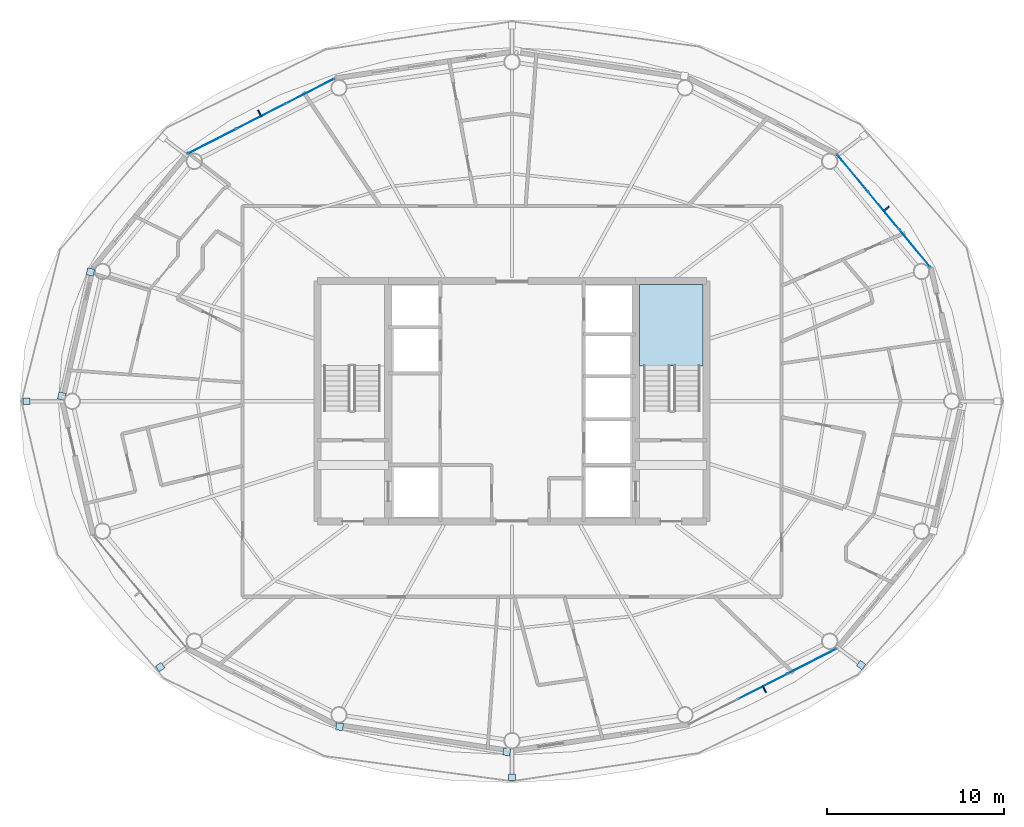
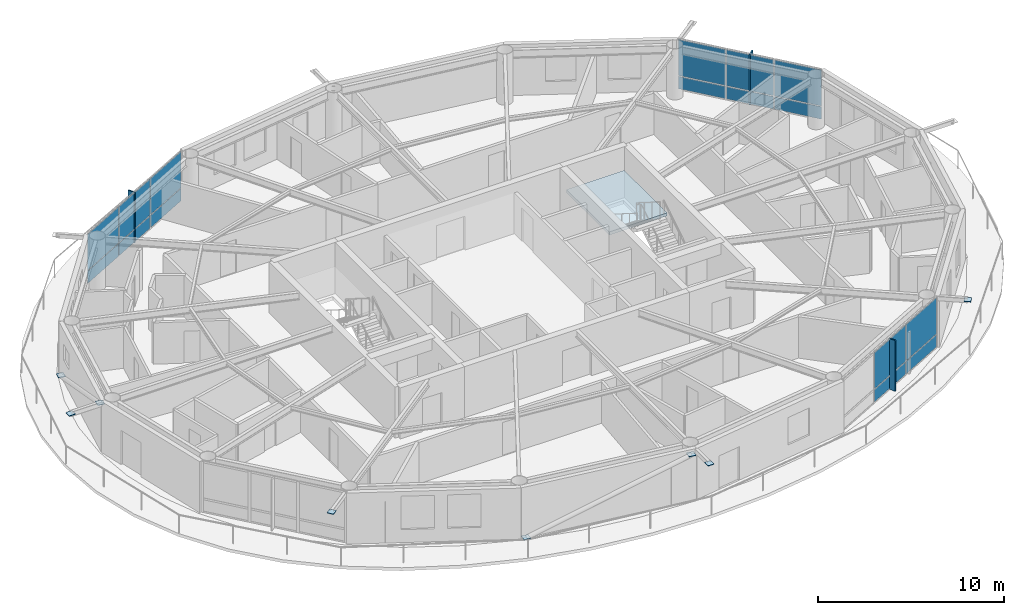
# One storey, part 14 of 22: 27 plates, 1 slab, 4 elements without a shape of their own.
"""IFC4 building model written with IfcOpenShell, lengths in metres."""

from ifc_helpers import new_model, si_unit, direction, frame, origin, origin_2d, place, context, subcontext, project, spatial, polyline, rectangle, outline, extrude, material, layer, layer_set, type_object, element, aggregate, save


model = new_model("IFC4")

# Units and contexts
model_context = context("Model", 3, precision=1e-05, world=origin(), true_north=direction((0.0, 1.0)))
body_context = subcontext(model_context, "Body", "Model", "MODEL_VIEW")
ifc_project = project(units=[si_unit("LENGTHUNIT", "METRE"), si_unit("AREAUNIT", "SQUARE_METRE"), si_unit("VOLUMEUNIT", "CUBIC_METRE"), si_unit("PLANEANGLEUNIT", "RADIAN"), si_unit("MASSUNIT", "GRAM", prefix="KILO")], contexts=[model_context])

# Site, building, storey
site_placement = place(None, origin())
site = spatial("IfcSite", under=ifc_project, at=site_placement, CompositionType="ELEMENT")
building_placement = place(site_placement, origin())
building = spatial("IfcBuilding", under=site, at=building_placement, Name="Sarneth Arch Tower", CompositionType="ELEMENT")
storey_placement = place(building_placement, frame((0.0, 0.0, 213.60009765625)))
storey = spatial("IfcBuildingStorey", under=building, at=storey_placement, Name="L54", CompositionType="ELEMENT", Elevation=213.60009765625)

# Curtain wall, plates
ifc_material_1 = material(Name="Anodised aluminium Type AA25 and solar-control low-e laminated IGU", Category="aluminium")
ifc_layer_1 = layer(ifc_material_1, 0.179931640625)
ifc_layer_set_1 = layer_set([ifc_layer_1], Name="Anodised aluminium Type AA25 and solar-control low-e laminated IGU")
curtain_wall_type = type_object("IfcCurtainWallType", Name="CW-RES-HIGH", PredefinedType="NOTDEFINED", material=ifc_layer_set_1)
curtain_wall_1_placement = place(storey_placement, origin())
curtain_wall_1 = element("IfcCurtainWall", 1, at=curtain_wall_1_placement, inside=storey, type_object=curtain_wall_type, Name="L54 Unitised curtain wall facet 02", PredefinedType="NOTDEFINED")
ifc_material_2 = material(Name="Solar-control low-e laminated IGU", Category="glass")
ifc_layer_2 = layer(ifc_material_2, 0.028076171875)
ifc_layer_set_2 = layer_set([ifc_layer_2], Name="Solar-control low-e laminated IGU")
plate_type_1 = type_object("IfcPlateType", Name="CW-PANEL", PredefinedType="CURTAIN_PANEL", material=ifc_layer_set_2)
plate_1_placement = place(storey_placement, frame((70.799072265625, 50.650634765625, 0.059814453125), z_axis=(0.0, 0.0, 1.0), x_axis=(-0.637610094184, 0.770359245933, 0.0)))
plate_1 = element("IfcPlate", 2, at=plate_1_placement, type_object=plate_type_1, Name="Curtain wall glazed vision pane CW-L54-F02/P00-00", PredefinedType="CURTAIN_PANEL", context=body_context, shape_type="SweptSolid", body=[
    extrude(rectangle(XDim=2.686767578125, YDim=0.028076171875, at=origin_2d()), origin(), (0.0, 0.0, 1.0), 0.81005859375),
])
plate_2_placement = place(storey_placement, frame((70.799072265625, 50.650634765625, 0.929931640625), z_axis=(0.0, 0.0, 1.0), x_axis=(-0.637610094184, 0.770359245933, 0.0)))
plate_2 = element("IfcPlate", 3, at=plate_2_placement, type_object=plate_type_1, Name="Curtain wall glazed vision pane CW-L54-F02/P00-01", PredefinedType="CURTAIN_PANEL", context=body_context, shape_type="SweptSolid", body=[
    extrude(rectangle(XDim=2.686767578125, YDim=0.028076171875, at=origin_2d()), origin(), (0.0, 0.0, 1.0), 2.3701171875),
])
plate_3_placement = place(storey_placement, frame((69.0380859375, 52.778076171875, 0.059814453125), z_axis=(0.0, 0.0, 1.0), x_axis=(-0.637610094184, 0.770359245933, 0.0)))
plate_3 = element("IfcPlate", 4, at=plate_3_placement, type_object=plate_type_1, Name="Curtain wall glazed vision pane CW-L54-F02/P01-00", PredefinedType="CURTAIN_PANEL", context=body_context, shape_type="SweptSolid", body=[
    extrude(rectangle(XDim=2.716552734375, YDim=0.028076171875, at=origin_2d()), origin(), (0.0, 0.0, 1.0), 0.81005859375),
])
plate_4_placement = place(storey_placement, frame((69.0380859375, 52.778076171875, 0.929931640625), z_axis=(0.0, 0.0, 1.0), x_axis=(-0.637610094184, 0.770359245933, 0.0)))
plate_4 = element("IfcPlate", 5, at=plate_4_placement, type_object=plate_type_1, Name="Curtain wall glazed vision pane CW-L54-F02/P01-01", PredefinedType="CURTAIN_PANEL", context=body_context, shape_type="SweptSolid", body=[
    extrude(rectangle(XDim=2.716552734375, YDim=0.028076171875, at=origin_2d()), origin(), (0.0, 0.0, 1.0), 2.3701171875),
])
plate_5_placement = place(storey_placement, frame((67.27734375, 54.905517578125, 0.059814453125), z_axis=(0.0, 0.0, 1.0), x_axis=(-0.637610094184, 0.770359245933, 0.0)))
plate_5 = element("IfcPlate", 6, at=plate_5_placement, type_object=plate_type_1, Name="Curtain wall glazed vision pane CW-L54-F02/P02-00", PredefinedType="CURTAIN_PANEL", context=body_context, shape_type="SweptSolid", body=[
    extrude(rectangle(XDim=2.686767578125, YDim=0.028076171875, at=origin_2d()), origin(), (0.0, 0.0, 1.0), 0.81005859375),
])
plate_6_placement = place(storey_placement, frame((67.27734375, 54.905517578125, 0.929931640625), z_axis=(0.0, 0.0, 1.0), x_axis=(-0.637610094184, 0.770359245933, 0.0)))
plate_6 = element("IfcPlate", 7, at=plate_6_placement, type_object=plate_type_1, Name="Curtain wall glazed vision pane CW-L54-F02/P02-01", PredefinedType="CURTAIN_PANEL", context=body_context, shape_type="SweptSolid", body=[
    extrude(rectangle(XDim=2.686767578125, YDim=0.028076171875, at=origin_2d()), origin(), (0.0, 0.0, 1.0), 2.3701171875),
])
aggregate(curtain_wall_1, [plate_1, plate_2, plate_3, plate_4, plate_5, plate_6])

curtain_wall_2_placement = place(storey_placement, origin())
curtain_wall_2 = element("IfcCurtainWall", 8, at=curtain_wall_2_placement, inside=storey, type_object=curtain_wall_type, Name="L54 Unitised curtain wall facet 06", PredefinedType="NOTDEFINED")
plate_7_placement = place(storey_placement, frame((36.5791015625, 59.552978515625, 0.059814453125), z_axis=(0.0, 0.0, 1.0), x_axis=(-0.890009540525, -0.455941901753, 0.0)))
plate_7 = element("IfcPlate", 9, at=plate_7_placement, type_object=plate_type_1, Name="Curtain wall glazed vision pane CW-L54-F06/P00-00", PredefinedType="CURTAIN_PANEL", context=body_context, shape_type="SweptSolid", body=[
    extrude(rectangle(XDim=3.044677734375, YDim=0.028076171875, at=origin_2d()), origin(), (0.0, 0.0, 1.0), 0.81005859375),
])
plate_8_placement = place(storey_placement, frame((36.5791015625, 59.552978515625, 0.929931640625), z_axis=(0.0, 0.0, 1.0), x_axis=(-0.890009540525, -0.455941901753, 0.0)))
plate_8 = element("IfcPlate", 10, at=plate_8_placement, type_object=plate_type_1, Name="Curtain wall glazed vision pane CW-L54-F06/P00-01", PredefinedType="CURTAIN_PANEL", context=body_context, shape_type="SweptSolid", body=[
    extrude(rectangle(XDim=3.044677734375, YDim=0.028076171875, at=origin_2d()), origin(), (0.0, 0.0, 1.0), 2.3701171875),
])
plate_9_placement = place(storey_placement, frame((33.802490234375, 58.13037109375, 0.059814453125), z_axis=(0.0, 0.0, 1.0), x_axis=(-0.890009540525, -0.455941901753, 0.0)))
plate_9 = element("IfcPlate", 11, at=plate_9_placement, type_object=plate_type_1, Name="Curtain wall glazed vision pane CW-L54-F06/P01-00", PredefinedType="CURTAIN_PANEL", context=body_context, shape_type="SweptSolid", body=[
    extrude(rectangle(XDim=3.07470703125, YDim=0.028076171875, at=origin_2d()), origin(), (0.0, 0.0, 1.0), 0.81005859375),
])
plate_10_placement = place(storey_placement, frame((33.802490234375, 58.13037109375, 0.929931640625), z_axis=(0.0, 0.0, 1.0), x_axis=(-0.890009540525, -0.455941901753, 0.0)))
plate_10 = element("IfcPlate", 12, at=plate_10_placement, type_object=plate_type_1, Name="Curtain wall glazed vision pane CW-L54-F06/P01-01", PredefinedType="CURTAIN_PANEL", context=body_context, shape_type="SweptSolid", body=[
    extrude(rectangle(XDim=3.07470703125, YDim=0.028076171875, at=origin_2d()), origin(), (0.0, 0.0, 1.0), 2.3701171875),
])
plate_11_placement = place(storey_placement, frame((31.02587890625, 56.7080078125, 0.059814453125), z_axis=(0.0, 0.0, 1.0), x_axis=(-0.890009540525, -0.455941901753, 0.0)))
plate_11 = element("IfcPlate", 13, at=plate_11_placement, type_object=plate_type_1, Name="Curtain wall glazed vision pane CW-L54-F06/P02-00", PredefinedType="CURTAIN_PANEL", context=body_context, shape_type="SweptSolid", body=[
    extrude(rectangle(XDim=3.044677734375, YDim=0.028076171875, at=origin_2d()), origin(), (0.0, 0.0, 1.0), 0.81005859375),
])
plate_12_placement = place(storey_placement, frame((31.02587890625, 56.7080078125, 0.929931640625), z_axis=(0.0, 0.0, 1.0), x_axis=(-0.890009540525, -0.455941901753, 0.0)))
plate_12 = element("IfcPlate", 14, at=plate_12_placement, type_object=plate_type_1, Name="Curtain wall glazed vision pane CW-L54-F06/P02-01", PredefinedType="CURTAIN_PANEL", context=body_context, shape_type="SweptSolid", body=[
    extrude(rectangle(XDim=3.044677734375, YDim=0.028076171875, at=origin_2d()), origin(), (0.0, 0.0, 1.0), 2.3701171875),
])
aggregate(curtain_wall_2, [plate_7, plate_8, plate_9, plate_10, plate_11, plate_12])

curtain_wall_3_placement = place(storey_placement, origin())
curtain_wall_3 = element("IfcCurtainWall", 15, at=curtain_wall_3_placement, inside=storey, type_object=curtain_wall_type, Name="L54 Unitised curtain wall facet 14", PredefinedType="NOTDEFINED")
plate_13_placement = place(storey_placement, frame((62.197509765625, 25.86962890625, 0.059814453125), z_axis=(0.0, 0.0, 1.0), x_axis=(0.890009540525, 0.455941901753, 0.0)))
plate_13 = element("IfcPlate", 16, at=plate_13_placement, type_object=plate_type_1, Name="Curtain wall glazed vision pane CW-L54-F14/P01-00", PredefinedType="CURTAIN_PANEL", context=body_context, shape_type="SweptSolid", body=[
    extrude(rectangle(XDim=3.07470703125, YDim=0.028076171875, at=origin_2d()), origin(), (0.0, 0.0, 1.0), 0.81005859375),
])
plate_14_placement = place(storey_placement, frame((62.197509765625, 25.86962890625, 0.929931640625), z_axis=(0.0, 0.0, 1.0), x_axis=(0.890009540525, 0.455941901753, 0.0)))
plate_14 = element("IfcPlate", 17, at=plate_14_placement, type_object=plate_type_1, Name="Curtain wall glazed vision pane CW-L54-F14/P01-01", PredefinedType="CURTAIN_PANEL", context=body_context, shape_type="SweptSolid", body=[
    extrude(rectangle(XDim=3.07470703125, YDim=0.028076171875, at=origin_2d()), origin(), (0.0, 0.0, 1.0), 2.3701171875),
])
plate_15_placement = place(storey_placement, frame((64.97412109375, 27.2919921875, 0.059814453125), z_axis=(0.0, 0.0, 1.0), x_axis=(0.890009540525, 0.455941901753, 0.0)))
plate_15 = element("IfcPlate", 18, at=plate_15_placement, type_object=plate_type_1, Name="Curtain wall glazed vision pane CW-L54-F14/P02-00", PredefinedType="CURTAIN_PANEL", context=body_context, shape_type="SweptSolid", body=[
    extrude(rectangle(XDim=3.044677734375, YDim=0.028076171875, at=origin_2d()), origin(), (0.0, 0.0, 1.0), 0.81005859375),
])
plate_16_placement = place(storey_placement, frame((64.97412109375, 27.2919921875, 0.929931640625), z_axis=(0.0, 0.0, 1.0), x_axis=(0.890009540525, 0.455941901753, 0.0)))
plate_16 = element("IfcPlate", 19, at=plate_16_placement, type_object=plate_type_1, Name="Curtain wall glazed vision pane CW-L54-F14/P02-01", PredefinedType="CURTAIN_PANEL", context=body_context, shape_type="SweptSolid", body=[
    extrude(rectangle(XDim=3.044677734375, YDim=0.028076171875, at=origin_2d()), origin(), (0.0, 0.0, 1.0), 2.3701171875),
])
aggregate(curtain_wall_3, [plate_13, plate_14, plate_15, plate_16])

# Plates
ifc_material_3 = material(Name="Steel S355", Category="steel")
ifc_layer_3 = layer(ifc_material_3, 0.035888671875)
ifc_layer_set_3 = layer_set([ifc_layer_3], Name="Steel S355")
plate_type_2 = type_object("IfcPlateType", Name="PLT-GUSSET-30", PredefinedType="SHEET", material=ifc_layer_set_3)
for number, where, z_axis, x_axis, name in (
    (20, (24.148193359375, 49.3154296875, 0.001953125), (0.0, 0.0, 1.0), (-0.225461202458, -0.974252147129, 0.0), "Steel end cap plate GP-1"),
    (21, (22.5234375, 42.292236328125, 3.0185546875), (0.0, 0.0, 1.0), (-0.225461202458, -0.974252147129, 0.0), "Steel end cap plate GP-1"),
):
    element("IfcPlate", number, at=place(storey_placement, frame(where, z_axis=z_axis, x_axis=x_axis)), inside=storey, type_object=plate_type_2, Name=name, PredefinedType="SHEET", context=body_context, shape_type="SweptSolid", body=[
        extrude(rectangle(XDim=0.404052734375, YDim=0.404052734375, at=origin_2d()), origin(), (0.0, 0.0, 1.0), 0.035888671875),
    ])
for number, where, z_axis, x_axis, name in (
    (22, (20.533447265625, 42.0, 3.18212890625), (0.0, 0.0, 1.0), (-1.0, 0.0, 0.0), "Steel end cap plate GP-1"),
    (23, (28.094482421875, 26.965576171875, 3.18212890625), (0.0, 0.0, 1.0), (-0.798004853043, -0.602651022168, 0.0), "Steel end cap plate GP-1"),
):
    element("IfcPlate", number, at=place(storey_placement, frame(where, z_axis=z_axis, x_axis=x_axis)), inside=storey, type_object=plate_type_2, Name=name, PredefinedType="SHEET", context=body_context, shape_type="SweptSolid", body=[
        extrude(rectangle(XDim=0.3798828125, YDim=0.3798828125, at=origin_2d()), origin(), (0.0, 0.0, 1.0), 0.035888671875),
    ])
for number, where, z_axis, x_axis, name in (
    (24, (38.245849609375, 23.588623046875, 0.001953125), (0.0, 0.0, 1.0), (0.988860535448, -0.148845024885, 0.0), "Steel end cap plate GP-1"),
    (25, (47.703369140625, 22.16455078125, 3.0185546875), (0.0, 0.0, 1.0), (0.988860535448, -0.148845024885, 0.0), "Steel end cap plate GP-1"),
):
    element("IfcPlate", number, at=place(storey_placement, frame(where, z_axis=z_axis, x_axis=x_axis)), inside=storey, type_object=plate_type_2, Name=name, PredefinedType="SHEET", context=body_context, shape_type="SweptSolid", body=[
        extrude(rectangle(XDim=0.404052734375, YDim=0.404052734375, at=origin_2d()), origin(), (0.0, 0.0, 1.0), 0.035888671875),
    ])
for number, where, z_axis, x_axis, name in (
    (26, (48.0, 20.7333984375, 3.18212890625), (0.0, 0.0, 1.0), (0.0, -1.0, 0.0), "Steel end cap plate GP-1"),
    (27, (67.75537109375, 27.078857421875, 3.18212890625), (0.0, 0.0, 1.0), (0.798004853043, -0.602651022168, 0.0), "Steel end cap plate GP-1"),
):
    element("IfcPlate", number, at=place(storey_placement, frame(where, z_axis=z_axis, x_axis=x_axis)), inside=storey, type_object=plate_type_2, Name=name, PredefinedType="SHEET", context=body_context, shape_type="SweptSolid", body=[
        extrude(rectangle(XDim=0.3798828125, YDim=0.3798828125, at=origin_2d()), origin(), (0.0, 0.0, 1.0), 0.035888671875),
    ])
ifc_material_4 = material(Name="Extruded glazed terracotta baguette fin on Aluminium 6063-T6 carrier", Category="masonry")
ifc_layer_4 = layer(ifc_material_4, 0.080078125)
ifc_layer_set_4 = layer_set([ifc_layer_4], Name="Extruded glazed terracotta baguette fin on Aluminium 6063-T6 carrier")
plate_type_3 = type_object("IfcPlateType", Name="SHADE-TERRA-FIN", PredefinedType="SHEET", material=ifc_layer_set_4)
for number, where, z_axis, x_axis, name in (
    (28, (69.169189453125, 52.886474609375, 0.009765625), (0.0, 0.0, 1.0), (0.770401979567, 0.63755845997, 0.0), "L54 Terracotta vertical shading fin 02"),
    (29, (33.724853515625, 58.28173828125, 0.009765625), (0.0, 0.0, 1.0), (-0.456010959102, 0.889974159838, 0.0), "L54 Terracotta vertical shading fin 06"),
    (30, (62.275146484375, 25.71826171875, 0.009765625), (0.0, 0.0, 1.0), (0.456010959102, -0.889974159838, 0.0), "L54 Terracotta vertical shading fin 14"),
):
    element("IfcPlate", number, at=place(storey_placement, frame(where, z_axis=z_axis, x_axis=x_axis)), inside=storey, type_object=plate_type_3, Name=name, PredefinedType="SHEET", context=body_context, shape_type="SweptSolid", body=[
        extrude(rectangle(XDim=0.419921875, YDim=0.080078125, at=origin_2d()), origin(), (0.0, 0.0, 1.0), 3.340087890625),
    ])

# Stair, slab
ifc_material_5 = material(Name="Concrete C50/60", Category="concrete")
stair_type = type_object("IfcStairType", Name="STAIR-CORE-RC", PredefinedType="HALF_TURN_STAIR", material=ifc_material_5)
stair_placement = place(storey_placement, origin())
stair = element("IfcStair", 31, at=stair_placement, inside=storey, type_object=stair_type, Name="L54 Core Exit Stair 2", PredefinedType="HALF_TURN_STAIR")
ifc_material_6 = material(Name="Concrete C50/60", Category="concrete")
ifc_layer_5 = layer(ifc_material_6, 0.199951171875)
ifc_layer_set_5 = layer_set([ifc_layer_5], Name="Concrete C50/60")
slab_type = type_object("IfcSlabType", Name="SLAB-LANDING-200", PredefinedType="LANDING", material=ifc_layer_set_5)
slab_placement = place(storey_placement, frame((0.0, 0.0, 1.599853515625)))
slab = element("IfcSlab", 32, at=slab_placement, type_object=slab_type, Name="ST-2 landing 1", PredefinedType="LANDING", context=body_context, shape_type="SweptSolid", body=[
    extrude(outline(polyline([(55.199951171875, 43.985107421875), (58.800048828125, 43.985107421875), (58.800048828125, 48.60009765625), (55.199951171875, 48.60009765625), (55.199951171875, 43.985107421875)])), origin(), (0.0, 0.0, 1.0), 0.199951171875),
])
aggregate(stair, [slab])

save(model, "model.ifc")
